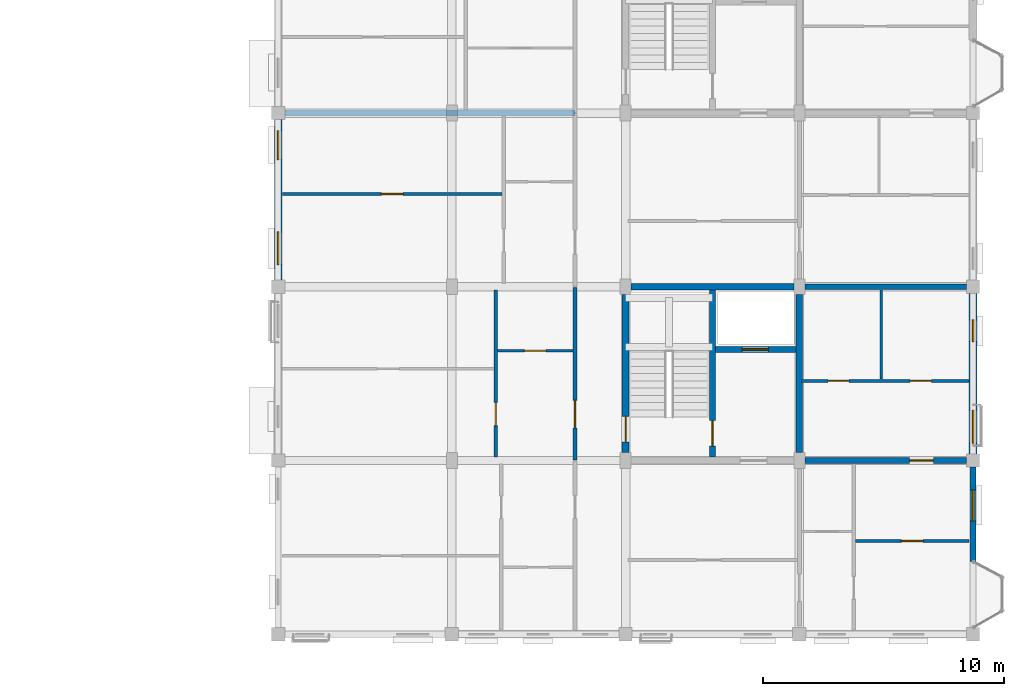
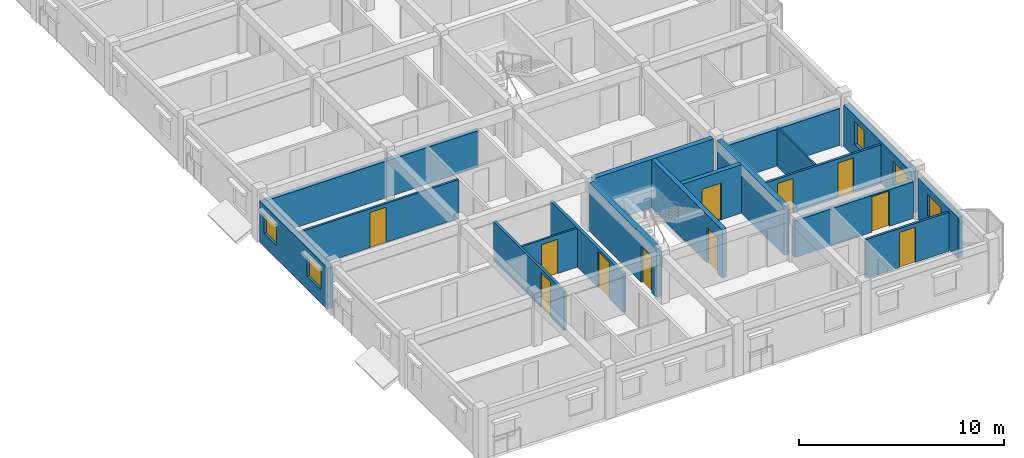
# One storey, part 55 of 75: 18 walls, 11 doors, 5 windows, 16 openings.
"""IFC4 building model written with IfcOpenShell, lengths in metres."""

from ifc_helpers import new_model, si_unit, direction, frame, frame_2d, origin, place, context, subcontext, project, spatial, rectangle, extrude, material, layer, layer_set, type_object, element, fill, save


model = new_model("IFC4")

# Units and contexts
model_context = context("Model", 3, precision=1e-05, world=origin(), true_north=direction((0.0, 1.0)))
body_context = subcontext(model_context, "Body", "Model", "MODEL_VIEW")
ifc_project = project(units=[si_unit("LENGTHUNIT", "METRE"), si_unit("AREAUNIT", "SQUARE_METRE"), si_unit("VOLUMEUNIT", "CUBIC_METRE"), si_unit("PLANEANGLEUNIT", "RADIAN"), si_unit("MASSUNIT", "GRAM", prefix="KILO"), si_unit("THERMODYNAMICTEMPERATUREUNIT", "KELVIN"), si_unit("POWERUNIT", "WATT")], contexts=[model_context])

# Site, building, storey
site_placement = place(None, origin())
site = spatial("IfcSite", under=ifc_project, at=site_placement, CompositionType="ELEMENT")
building_placement = place(site_placement, origin())
building = spatial("IfcBuilding", under=site, at=building_placement, Name="Tavuni Mirador Residences", CompositionType="ELEMENT")
storey_placement = place(building_placement, frame((0.0, 0.0, 20.25)))
storey = spatial("IfcBuildingStorey", under=building, at=storey_placement, Name="L06", CompositionType="ELEMENT", Elevation=20.25)

# Wall, opening, door
ifc_material_1 = material(Name="Precast concrete C40/50", Category="concrete")
ifc_layer_1 = layer(ifc_material_1, 0.25, Name="Precast concrete C40/50", Category="concrete")
ifc_layer_set_1 = layer_set([ifc_layer_1], Name="Precast concrete C40/50")
wall_type_1 = type_object("IfcWallType", Name="WT-COR250", PredefinedType="SHEAR", material=ifc_layer_set_1)
wall_1_placement = place(storey_placement, frame((108.0, 93.739990234375, 0.0), z_axis=(0.0, 0.0, 1.0), x_axis=(0.0, 1.0, 0.0)))
wall_1 = element("IfcWall", 1, at=wall_1_placement, inside=storey, type_object=wall_type_1, Name="CWALL-C7-L06-MID", PredefinedType="SHEAR", context=body_context, shape_type="SweptSolid", body=[
    extrude(rectangle(XDim=6.919921875, YDim=0.25, at=frame_2d((3.4599609375, 0.0))), origin(), (0.0, 0.0, 1.0), 2.889892578125),
])
opening_1_placement = place(wall_1_placement, frame((0.4599609375, 0.0, 0.0)))
opening_1 = element("IfcOpeningElement", 2, at=opening_1_placement, cuts=wall_1, Name="Opening D-01", PredefinedType="OPENING", context=body_context, shape_type="SweptSolid", body=[
    extrude(rectangle(XDim=1.050048828125, YDim=2.14990234375, at=frame_2d((0.52490234375, 1.074951171875))), frame((0.0, 0.135009765625, 0.0), z_axis=(0.0, -1.0, 0.0), x_axis=(1.0, 0.0, 0.0)), (0.0, 0.0, 1.0), 0.27001953125),
])
ifc_material_2 = material(Name="Solid core iroko timber", Category="wood")
door_type_1 = type_object("IfcDoorType", Name="DT-ST1050", OperationType="NOTDEFINED", PredefinedType="DOOR", material=ifc_material_2)
door_1_placement = place(opening_1_placement, origin())
door_1 = element("IfcDoor", 3, at=door_1_placement, inside=storey, type_object=door_type_1, Name="DR-2291", OperationType="SINGLE_SWING_LEFT", OverallHeight=2.14990234375, OverallWidth=1.050048828125, PredefinedType="DOOR", context=body_context, shape_type="SweptSolid", body=[
    extrude(rectangle(XDim=1.050048828125, YDim=2.14990234375, at=frame_2d((0.52490234375, 1.074951171875))), frame((0.0, 0.02490234375, 0.0), z_axis=(0.0, -1.0, 0.0), x_axis=(1.0, 0.0, 0.0)), (0.0, 0.0, 1.0), 0.050048828125),
])
fill(opening_1, door_1)

wall_2_placement = place(storey_placement, frame((108.125, 98.199951171875, 0.0), z_axis=(0.0, 0.0, 1.0), x_axis=(1.0, 0.0, 0.0)))
wall_2 = element("IfcWall", 4, at=wall_2_placement, inside=storey, type_object=wall_type_1, Name="CWALL-C7-L06-SHF", PredefinedType="SHEAR", context=body_context, shape_type="SweptSolid", body=[
    extrude(rectangle(XDim=3.3349609375, YDim=0.25, at=frame_2d((1.66748046875, 0.0))), origin(), (0.0, 0.0, 1.0), 2.889892578125),
])
opening_2_placement = place(wall_2_placement, frame((1.10009765625, 0.0, 0.0)))
opening_2 = element("IfcOpeningElement", 5, at=opening_2_placement, cuts=wall_2, Name="Opening LD-01", PredefinedType="OPENING", context=body_context, shape_type="SweptSolid", body=[
    extrude(rectangle(XDim=1.10009765625, YDim=2.199951171875, at=frame_2d((0.550048828125, 1.10009765625))), frame((0.0, 0.135009765625, 0.0), z_axis=(0.0, -1.0, 0.0), x_axis=(1.0, 0.0, 0.0)), (0.0, 0.0, 1.0), 0.27001953125),
])
ifc_material_3 = material(Name="Structural steel S355", Category="steel")
door_type_2 = type_object("IfcDoorType", Name="DT-LD-FF", OperationType="SLIDING_TO_LEFT", PredefinedType="DOOR", material=ifc_material_3)
door_2_placement = place(opening_2_placement, origin())
door_2 = element("IfcDoor", 6, at=door_2_placement, inside=storey, type_object=door_type_2, Name="Lift landing door FL-D1 L06", OperationType="SLIDING_TO_LEFT", OverallHeight=2.199951171875, OverallWidth=1.10009765625, PredefinedType="DOOR", context=body_context, shape_type="SweptSolid", body=[
    extrude(rectangle(XDim=1.10009765625, YDim=2.199951171875, at=frame_2d((0.550048828125, 1.10009765625))), frame((0.0, 0.02490234375, 0.0), z_axis=(0.0, -1.0, 0.0), x_axis=(1.0, 0.0, 0.0)), (0.0, 0.0, 1.0), 0.050048828125),
])
fill(opening_2, door_2)

ifc_layer_2 = layer(ifc_material_1, 0.280029296875, Name="Precast concrete C40/50", Category="concrete")
ifc_layer_set_2 = layer_set([ifc_layer_2], Name="Precast concrete C40/50")
wall_type_2 = type_object("IfcWallType", Name="WT-COR280", PredefinedType="SHEAR", material=ifc_layer_set_2)
wall_3_placement = place(storey_placement, frame((104.39990234375, 93.925048828125, 0.0), z_axis=(0.0, 0.0, 1.0), x_axis=(0.0, 1.0, 0.0)))
wall_3 = element("IfcWall", 7, at=wall_3_placement, inside=storey, type_object=wall_type_2, Name="CWALL-C7-L06-W", PredefinedType="SHEAR", context=body_context, shape_type="SweptSolid", body=[
    extrude(rectangle(XDim=6.550048828125, YDim=0.280029296875, at=frame_2d((3.27490234375, 0.0))), origin(), (0.0, 0.0, 1.0), 2.889892578125),
])
opening_3_placement = place(wall_3_placement, frame((0.449951171875, 0.0, 0.0)))
opening_3 = element("IfcOpeningElement", 8, at=opening_3_placement, cuts=wall_3, Name="Opening D-01", PredefinedType="OPENING", context=body_context, shape_type="SweptSolid", body=[
    extrude(rectangle(XDim=1.050048828125, YDim=2.14990234375, at=frame_2d((0.52490234375, 1.074951171875))), frame((0.0, 0.14990234375, 0.0), z_axis=(0.0, -1.0, 0.0), x_axis=(1.0, 0.0, 0.0)), (0.0, 0.0, 1.0), 0.300048828125),
])
door_3_placement = place(opening_3_placement, origin())
door_3 = element("IfcDoor", 9, at=door_3_placement, inside=storey, type_object=door_type_1, Name="DR-2289", OperationType="SINGLE_SWING_RIGHT", OverallHeight=2.14990234375, OverallWidth=1.050048828125, PredefinedType="DOOR", context=body_context, shape_type="SweptSolid", body=[
    extrude(rectangle(XDim=1.050048828125, YDim=2.14990234375, at=frame_2d((0.52490234375, 1.074951171875))), frame((0.0, 0.02490234375, 0.0), z_axis=(0.0, -1.0, 0.0), x_axis=(1.0, 0.0, 0.0)), (0.0, 0.0, 1.0), 0.050048828125),
])
fill(opening_3, door_3)

# Walls
wall_4_placement = place(storey_placement, frame((104.625, 100.800048828125, 0.0), z_axis=(0.0, 0.0, 1.0), x_axis=(1.0, 0.0, 0.0)))
element("IfcWall", 10, at=wall_4_placement, inside=storey, type_object=wall_type_2, Name="CWALL-C7-L06-N", PredefinedType="SHEAR", context=body_context, shape_type="SweptSolid", body=[
    extrude(rectangle(XDim=6.75, YDim=0.280029296875, at=frame_2d((3.375, 0.0))), origin(), (0.0, 0.0, 1.0), 2.889892578125),
])
wall_5_placement = place(storey_placement, frame((111.60009765625, 93.925048828125, 0.0), z_axis=(0.0, 0.0, 1.0), x_axis=(0.0, 1.0, 0.0)))
element("IfcWall", 11, at=wall_5_placement, inside=storey, type_object=wall_type_2, Name="CWALL-C7-L06-E", PredefinedType="SHEAR", context=body_context, shape_type="SweptSolid", body=[
    extrude(rectangle(XDim=6.550048828125, YDim=0.280029296875, at=frame_2d((3.27490234375, 0.0))), origin(), (0.0, 0.0, 1.0), 2.889892578125),
])

# Wall, opening, door
ifc_layer_3 = layer(ifc_material_1, 0.1650390625, Name="Precast concrete C40/50", Category="concrete")
ifc_layer_set_3 = layer_set([ifc_layer_3], Name="Precast concrete C40/50")
wall_type_3 = type_object("IfcWallType", Name="WT-CORR165", PredefinedType="PARTITIONING", material=ifc_layer_set_3)
wall_6_placement = place(storey_placement, frame((102.300048828125, 93.6201171875, 0.0), z_axis=(0.0, 0.0, 1.0), x_axis=(0.0, 1.0, 0.0)))
wall_6 = element("IfcWall", 12, at=wall_6_placement, inside=storey, type_object=wall_type_3, Name="CORW-BLK-D-L06-0-01", PredefinedType="PARTITIONING", context=body_context, shape_type="SweptSolid", body=[
    extrude(rectangle(XDim=7.159912109375, YDim=0.1650390625, at=frame_2d((3.580078125, 0.0))), origin(), (0.0, 0.0, 1.0), 2.324951171875),
])
opening_4_placement = place(wall_6_placement, frame((1.330078125, 0.0, 0.0)))
opening_4 = element("IfcOpeningElement", 13, at=opening_4_placement, cuts=wall_6, Name="Opening D-20", PredefinedType="OPENING", context=body_context, shape_type="SweptSolid", body=[
    extrude(rectangle(XDim=1.139892578125, YDim=2.179931640625, at=frame_2d((0.56982421875, 1.08984375))), frame((0.0, 0.092529296875, 0.0), z_axis=(0.0, -1.0, 0.0), x_axis=(1.0, 0.0, 0.0)), (0.0, 0.0, 1.0), 0.18505859375),
])
door_type_3 = type_object("IfcDoorType", Name="DT-FD60-1140", OperationType="NOTDEFINED", PredefinedType="DOOR", material=ifc_material_2)
door_4_placement = place(opening_4_placement, origin())
door_4 = element("IfcDoor", 14, at=door_4_placement, inside=storey, type_object=door_type_3, Name="DR-2882", OperationType="SINGLE_SWING_LEFT", OverallHeight=2.179931640625, OverallWidth=1.139892578125, PredefinedType="DOOR", context=body_context, shape_type="SweptSolid", body=[
    extrude(rectangle(XDim=1.139892578125, YDim=2.179931640625, at=frame_2d((0.56982421875, 1.08984375))), frame((0.0, 0.02490234375, 0.0), z_axis=(0.0, -1.0, 0.0), x_axis=(1.0, 0.0, 0.0)), (0.0, 0.0, 1.0), 0.050048828125),
])
fill(opening_4, door_4)

# Wall, opening, window
ifc_material_4 = material(Name="Sgraffito lime-rendered precast concrete C40/50", Category="concrete")
ifc_layer_4 = layer(ifc_material_4, 0.2451171875, Name="Sgraffito lime-rendered precast concrete C40/50", Category="concrete")
ifc_layer_set_4 = layer_set([ifc_layer_4], Name="Sgraffito lime-rendered precast concrete C40/50")
wall_type_4 = type_object("IfcWallType", Name="WT-EXT-PC245", PredefinedType="SOLIDWALL", material=ifc_layer_set_4)
wall_7_placement = place(storey_placement, frame((118.800048828125, 89.419921875, 0.0), z_axis=(0.0, 0.0, 1.0), x_axis=(0.0, 1.0, 0.0)))
wall_7 = element("IfcWall", 15, at=wall_7_placement, inside=storey, type_object=wall_type_4, Name="EW-BLK-D-L06-E00", PredefinedType="SOLIDWALL", context=body_context, shape_type="SweptSolid", body=[
    extrude(rectangle(XDim=3.905029296875, YDim=0.2451171875, at=frame_2d((1.95263671875, 0.0))), origin(), (0.0, 0.0, 1.0), 2.4599609375),
])
opening_5_placement = place(wall_7_placement, frame((1.677490234375, 0.0, 0.780029296875)))
opening_5 = element("IfcOpeningElement", 16, at=opening_5_placement, cuts=wall_7, Name="Opening WN-14", PredefinedType="OPENING", context=body_context, shape_type="SweptSolid", body=[
    extrude(rectangle(XDim=1.280029296875, YDim=1.260009765625, at=frame_2d((0.64013671875, 0.6298828125))), frame((0.0, 0.132568359375, 0.0), z_axis=(0.0, -1.0, 0.0), x_axis=(1.0, 0.0, 0.0)), (0.0, 0.0, 1.0), 0.26513671875),
])
ifc_material_5 = material(Name="Laminated solar-control glass", Category="glass")
window_type_1 = type_object("IfcWindowType", Name="WNT-14", PartitioningType="SINGLE_PANEL", PredefinedType="WINDOW", material=ifc_material_5)
window_1_placement = place(opening_5_placement, origin())
window_1 = element("IfcWindow", 17, at=window_1_placement, inside=storey, type_object=window_type_1, Name="WIN-1657", OverallHeight=1.260009765625, OverallWidth=1.280029296875, PartitioningType="SINGLE_PANEL", PredefinedType="WINDOW", context=body_context, shape_type="SweptSolid", body=[
    extrude(rectangle(XDim=1.280029296875, YDim=1.260009765625, at=frame_2d((0.64013671875, 0.6298828125))), frame((0.0, 0.030029296875, 0.0), z_axis=(0.0, -1.0, 0.0), x_axis=(1.0, 0.0, 0.0)), (0.0, 0.0, 1.0), 0.06005859375),
])
fill(opening_5, window_1)

# Wall, openings, windows
ifc_layer_5 = layer(ifc_material_4, 0.31494140625, Name="Sgraffito lime-rendered precast concrete C40/50", Category="concrete")
ifc_layer_set_5 = layer_set([ifc_layer_5], Name="Sgraffito lime-rendered precast concrete C40/50")
wall_type_5 = type_object("IfcWallType", Name="WT-EXT-PC315", PredefinedType="SOLIDWALL", material=ifc_layer_set_5)
wall_8_placement = place(storey_placement, frame((90.0, 107.72509765625, 0.0), z_axis=(0.0, 0.0, 1.0), x_axis=(0.0, -1.0, 0.0)))
wall_8 = element("IfcWall", 18, at=wall_8_placement, inside=storey, type_object=wall_type_5, Name="EW-BLK-D-L06-W02", PredefinedType="SOLIDWALL", context=body_context, shape_type="SweptSolid", body=[
    extrude(rectangle(XDim=6.650146484375, YDim=0.31494140625, at=frame_2d((3.3251953125, 0.0))), origin(), (0.0, 0.0, 1.0), 2.4599609375),
])
opening_6_placement = place(wall_8_placement, frame((0.449951171875, 0.0, 0.780029296875)))
opening_6 = element("IfcOpeningElement", 19, at=opening_6_placement, cuts=wall_8, Name="Opening WN-13", PredefinedType="OPENING", context=body_context, shape_type="SweptSolid", body=[
    extrude(rectangle(XDim=1.199951171875, YDim=1.260009765625, at=frame_2d((0.60009765625, 0.6298828125))), frame((0.0, 0.16748046875, 0.0), z_axis=(0.0, -1.0, 0.0), x_axis=(1.0, 0.0, 0.0)), (0.0, 0.0, 1.0), 0.3349609375),
])
opening_7_placement = place(wall_8_placement, frame((4.64990234375, 0.0, 0.780029296875)))
opening_7 = element("IfcOpeningElement", 20, at=opening_7_placement, cuts=wall_8, Name="Opening WN-15", PredefinedType="OPENING", context=body_context, shape_type="SweptSolid", body=[
    extrude(rectangle(XDim=1.360107421875, YDim=1.260009765625, at=frame_2d((0.68017578125, 0.6298828125))), frame((0.0, 0.16748046875, 0.0), z_axis=(0.0, -1.0, 0.0), x_axis=(1.0, 0.0, 0.0)), (0.0, 0.0, 1.0), 0.3349609375),
])
window_type_2 = type_object("IfcWindowType", Name="WNT-13", PartitioningType="SINGLE_PANEL", PredefinedType="WINDOW", material=ifc_material_5)
window_2_placement = place(opening_6_placement, origin())
window_2 = element("IfcWindow", 21, at=window_2_placement, inside=storey, type_object=window_type_2, Name="WIN-1686", OverallHeight=1.260009765625, OverallWidth=1.199951171875, PartitioningType="SINGLE_PANEL", PredefinedType="WINDOW", context=body_context, shape_type="SweptSolid", body=[
    extrude(rectangle(XDim=1.199951171875, YDim=1.260009765625, at=frame_2d((0.60009765625, 0.6298828125))), frame((0.0, 0.030029296875, 0.0), z_axis=(0.0, -1.0, 0.0), x_axis=(1.0, 0.0, 0.0)), (0.0, 0.0, 1.0), 0.06005859375),
])
fill(opening_6, window_2)
window_type_3 = type_object("IfcWindowType", Name="WNT-15", PartitioningType="SINGLE_PANEL", PredefinedType="WINDOW", material=ifc_material_5)
window_3_placement = place(opening_7_placement, origin())
window_3 = element("IfcWindow", 22, at=window_3_placement, inside=storey, type_object=window_type_3, Name="WIN-1687", OverallHeight=1.260009765625, OverallWidth=1.360107421875, PartitioningType="SINGLE_PANEL", PredefinedType="WINDOW", context=body_context, shape_type="SweptSolid", body=[
    extrude(rectangle(XDim=1.360107421875, YDim=1.260009765625, at=frame_2d((0.68017578125, 0.6298828125))), frame((0.0, 0.030029296875, 0.0), z_axis=(0.0, -1.0, 0.0), x_axis=(1.0, 0.0, 0.0)), (0.0, 0.0, 1.0), 0.06005859375),
])
fill(opening_7, window_3)

ifc_layer_6 = layer(ifc_material_4, 0.344970703125, Name="Sgraffito lime-rendered precast concrete C40/50", Category="concrete")
ifc_layer_set_6 = layer_set([ifc_layer_6], Name="Sgraffito lime-rendered precast concrete C40/50")
wall_type_6 = type_object("IfcWallType", Name="WT-EXT-PTY345", PredefinedType="SOLIDWALL", material=ifc_layer_set_6)
wall_9_placement = place(storey_placement, frame((118.800048828125, 93.875, 0.0), z_axis=(0.0, 0.0, 1.0), x_axis=(0.0, 1.0, 0.0)))
wall_9 = element("IfcWall", 23, at=wall_9_placement, inside=storey, type_object=wall_type_6, Name="EW-BLK-D-L06-E01", PredefinedType="SOLIDWALL", context=body_context, shape_type="SweptSolid", body=[
    extrude(rectangle(XDim=6.64990234375, YDim=0.344970703125, at=frame_2d((3.324951171875, 0.0))), origin(), (0.0, 0.0, 1.0), 2.4599609375),
])
opening_8_placement = place(wall_9_placement, frame((0.449951171875, 0.0, 0.780029296875)))
opening_8 = element("IfcOpeningElement", 24, at=opening_8_placement, cuts=wall_9, Name="Opening WN-15", PredefinedType="OPENING", context=body_context, shape_type="SweptSolid", body=[
    extrude(rectangle(XDim=1.360107421875, YDim=1.260009765625, at=frame_2d((0.68017578125, 0.6298828125))), frame((0.0, 0.1826171875, 0.0), z_axis=(0.0, -1.0, 0.0), x_axis=(1.0, 0.0, 0.0)), (0.0, 0.0, 1.0), 0.364990234375),
])
opening_9_placement = place(wall_9_placement, frame((4.64990234375, 0.0, 0.780029296875)))
opening_9 = element("IfcOpeningElement", 25, at=opening_9_placement, cuts=wall_9, Name="Opening WN-17", PredefinedType="OPENING", context=body_context, shape_type="SweptSolid", body=[
    extrude(rectangle(XDim=0.89990234375, YDim=1.360107421875, at=frame_2d((0.449951171875, 0.68017578125))), frame((0.0, 0.1826171875, 0.0), z_axis=(0.0, -1.0, 0.0), x_axis=(1.0, 0.0, 0.0)), (0.0, 0.0, 1.0), 0.364990234375),
])
window_4_placement = place(opening_8_placement, origin())
window_4 = element("IfcWindow", 26, at=window_4_placement, inside=storey, type_object=window_type_3, Name="WIN-1658", OverallHeight=1.260009765625, OverallWidth=1.360107421875, PartitioningType="SINGLE_PANEL", PredefinedType="WINDOW", context=body_context, shape_type="SweptSolid", body=[
    extrude(rectangle(XDim=1.360107421875, YDim=1.260009765625, at=frame_2d((0.68017578125, 0.6298828125))), frame((0.0, 0.030029296875, 0.0), z_axis=(0.0, -1.0, 0.0), x_axis=(1.0, 0.0, 0.0)), (0.0, 0.0, 1.0), 0.06005859375),
])
fill(opening_8, window_4)
window_type_4 = type_object("IfcWindowType", Name="WNT-17", PartitioningType="SINGLE_PANEL", PredefinedType="WINDOW", material=ifc_material_5)
window_5_placement = place(opening_9_placement, origin())
window_5 = element("IfcWindow", 27, at=window_5_placement, inside=storey, type_object=window_type_4, Name="WIN-1659", OverallHeight=1.360107421875, OverallWidth=0.89990234375, PartitioningType="SINGLE_PANEL", PredefinedType="WINDOW", context=body_context, shape_type="SweptSolid", body=[
    extrude(rectangle(XDim=0.89990234375, YDim=1.360107421875, at=frame_2d((0.449951171875, 0.68017578125))), frame((0.0, 0.030029296875, 0.0), z_axis=(0.0, -1.0, 0.0), x_axis=(1.0, 0.0, 0.0)), (0.0, 0.0, 1.0), 0.06005859375),
])
fill(opening_9, window_5)

# Wall
ifc_material_6 = material(Name="Acoustic gypsum and concrete block partition", Category="concrete")
ifc_layer_7 = layer(ifc_material_6, 0.094970703125, Name="Acoustic gypsum and concrete block partition", Category="concrete")
ifc_layer_set_7 = layer_set([ifc_layer_7], Name="Acoustic gypsum and concrete block partition")
wall_type_7 = type_object("IfcWallType", Name="WT-PART095", PredefinedType="PARTITIONING", material=ifc_layer_set_7)
wall_10_placement = place(storey_placement, frame((115.0, 96.969970703125, 0.0), z_axis=(0.0, 0.0, 1.0), x_axis=(0.0, 1.0, 0.0)))
element("IfcWall", 28, at=wall_10_placement, inside=storey, type_object=wall_type_7, Name="PW-BLK-D-L06-PF01-V", PredefinedType="PARTITIONING", context=body_context, shape_type="SweptSolid", body=[
    extrude(rectangle(XDim=3.68994140625, YDim=0.094970703125, at=frame_2d((1.844970703125, 0.0))), origin(), (0.0, 0.0, 1.0), 2.324951171875),
])

# Wall, opening, door
ifc_layer_8 = layer(ifc_material_6, 0.10498046875, Name="Acoustic gypsum and concrete block partition", Category="concrete")
ifc_layer_set_8 = layer_set([ifc_layer_8], Name="Acoustic gypsum and concrete block partition")
wall_type_8 = type_object("IfcWallType", Name="WT-PART105", PredefinedType="PARTITIONING", material=ifc_layer_set_8)
wall_11_placement = place(storey_placement, frame((99.090087890625, 98.14990234375, 0.0), z_axis=(0.0, 0.0, 1.0), x_axis=(1.0, 0.0, 0.0)))
wall_11 = element("IfcWall", 29, at=wall_11_placement, inside=storey, type_object=wall_type_8, Name="PW-BLK-D-L06-W01-IN1", PredefinedType="PARTITIONING", context=body_context, shape_type="SweptSolid", body=[
    extrude(rectangle(XDim=3.119873046875, YDim=0.10498046875, at=frame_2d((1.56005859375, 0.0))), origin(), (0.0, 0.0, 1.0), 2.324951171875),
])
opening_10_placement = place(wall_11_placement, frame((1.110107421875, 0.0, 0.0)))
opening_10 = element("IfcOpeningElement", 30, at=opening_10_placement, cuts=wall_11, Name="Opening D-09", PredefinedType="OPENING", context=body_context, shape_type="SweptSolid", body=[
    extrude(rectangle(XDim=0.89990234375, YDim=2.050048828125, at=frame_2d((0.449951171875, 1.02490234375))), frame((0.0, 0.0625, 0.0), z_axis=(0.0, -1.0, 0.0), x_axis=(1.0, 0.0, 0.0)), (0.0, 0.0, 1.0), 0.125),
])
door_type_4 = type_object("IfcDoorType", Name="DT-WC900", OperationType="NOTDEFINED", PredefinedType="DOOR", material=ifc_material_2)
door_5_placement = place(opening_10_placement, origin())
door_5 = element("IfcDoor", 31, at=door_5_placement, inside=storey, type_object=door_type_4, Name="DR-4517", OperationType="SINGLE_SWING_RIGHT", OverallHeight=2.050048828125, OverallWidth=0.89990234375, PredefinedType="DOOR", context=body_context, shape_type="SweptSolid", body=[
    extrude(rectangle(XDim=0.89990234375, YDim=2.050048828125, at=frame_2d((0.449951171875, 1.02490234375))), frame((0.0, 0.02490234375, 0.0), z_axis=(0.0, -1.0, 0.0), x_axis=(1.0, 0.0, 0.0)), (0.0, 0.0, 1.0), 0.050048828125),
])
fill(opening_10, door_5)

ifc_layer_9 = layer(ifc_material_6, 0.114990234375, Name="Acoustic gypsum and concrete block partition", Category="concrete")
ifc_layer_set_9 = layer_set([ifc_layer_9], Name="Acoustic gypsum and concrete block partition")
wall_type_9 = type_object("IfcWallType", Name="WT-PART115", PredefinedType="PARTITIONING", material=ifc_layer_set_9)
wall_12_placement = place(storey_placement, frame((90.175048828125, 104.64990234375, 0.0), z_axis=(0.0, 0.0, 1.0), x_axis=(1.0, 0.0, 0.0)))
wall_12 = element("IfcWall", 32, at=wall_12_placement, inside=storey, type_object=wall_type_9, Name="PW-BLK-D-L06-W02-OUT", PredefinedType="PARTITIONING", context=body_context, shape_type="SweptSolid", body=[
    extrude(rectangle(XDim=9.10498046875, YDim=0.114990234375, at=frame_2d((4.552490234375, 0.0))), origin(), (0.0, 0.0, 1.0), 2.324951171875),
])
opening_11_placement = place(wall_12_placement, frame((4.1025390625, 0.0, 0.0)))
opening_11 = element("IfcOpeningElement", 33, at=opening_11_placement, cuts=wall_12, Name="Opening D-07", PredefinedType="OPENING", context=body_context, shape_type="SweptSolid", body=[
    extrude(rectangle(XDim=0.89990234375, YDim=2.10009765625, at=frame_2d((0.449951171875, 1.050048828125))), frame((0.0, 0.0673828125, 0.0), z_axis=(0.0, -1.0, 0.0), x_axis=(1.0, 0.0, 0.0)), (0.0, 0.0, 1.0), 0.135009765625),
])
door_type_5 = type_object("IfcDoorType", Name="DT-BED900", OperationType="NOTDEFINED", PredefinedType="DOOR", material=ifc_material_2)
door_6_placement = place(opening_11_placement, origin())
door_6 = element("IfcDoor", 34, at=door_6_placement, inside=storey, type_object=door_type_5, Name="DR-4522", OperationType="SINGLE_SWING_LEFT", OverallHeight=2.10009765625, OverallWidth=0.89990234375, PredefinedType="DOOR", context=body_context, shape_type="SweptSolid", body=[
    extrude(rectangle(XDim=0.89990234375, YDim=2.10009765625, at=frame_2d((0.449951171875, 1.050048828125))), frame((0.0, 0.02490234375, 0.0), z_axis=(0.0, -1.0, 0.0), x_axis=(1.0, 0.0, 0.0)), (0.0, 0.0, 1.0), 0.050048828125),
])
fill(opening_11, door_6)

ifc_layer_10 = layer(ifc_material_6, 0.125, Name="Acoustic gypsum and concrete block partition", Category="concrete")
ifc_layer_set_10 = layer_set([ifc_layer_10], Name="Acoustic gypsum and concrete block partition")
wall_type_10 = type_object("IfcWallType", Name="WT-PART125", PredefinedType="PARTITIONING", material=ifc_layer_set_10)
wall_13_placement = place(storey_placement, frame((113.929931640625, 90.260009765625, 0.0), z_axis=(0.0, 0.0, 1.0), x_axis=(1.0, 0.0, 0.0)))
wall_13 = element("IfcWall", 35, at=wall_13_placement, inside=storey, type_object=wall_type_10, Name="PW-BLK-D-L06-E00-OUT", PredefinedType="PARTITIONING", context=body_context, shape_type="SweptSolid", body=[
    extrude(rectangle(XDim=4.695068359375, YDim=0.125, at=frame_2d((2.34765625, 0.0))), origin(), (0.0, 0.0, 1.0), 2.324951171875),
])
opening_12_placement = place(wall_13_placement, frame((1.8974609375, 0.0, 0.0)))
opening_12 = element("IfcOpeningElement", 36, at=opening_12_placement, cuts=wall_13, Name="Opening D-07", PredefinedType="OPENING", context=body_context, shape_type="SweptSolid", body=[
    extrude(rectangle(XDim=0.89990234375, YDim=2.10009765625, at=frame_2d((0.449951171875, 1.050048828125))), frame((0.0, 0.072509765625, 0.0), z_axis=(0.0, -1.0, 0.0), x_axis=(1.0, 0.0, 0.0)), (0.0, 0.0, 1.0), 0.14501953125),
])
door_7_placement = place(opening_12_placement, origin())
door_7 = element("IfcDoor", 37, at=door_7_placement, inside=storey, type_object=door_type_5, Name="DR-4513", OperationType="SINGLE_SWING_LEFT", OverallHeight=2.10009765625, OverallWidth=0.89990234375, PredefinedType="DOOR", context=body_context, shape_type="SweptSolid", body=[
    extrude(rectangle(XDim=0.89990234375, YDim=2.10009765625, at=frame_2d((0.449951171875, 1.050048828125))), frame((0.0, 0.02490234375, 0.0), z_axis=(0.0, -1.0, 0.0), x_axis=(1.0, 0.0, 0.0)), (0.0, 0.0, 1.0), 0.050048828125),
])
fill(opening_12, door_7)

# Wall, openings, doors
wall_14_placement = place(storey_placement, frame((111.68994140625, 96.89990234375, 0.0), z_axis=(0.0, 0.0, 1.0), x_axis=(1.0, 0.0, 0.0)))
wall_14 = element("IfcWall", 38, at=wall_14_placement, inside=storey, type_object=wall_type_10, Name="PW-BLK-D-L06-PF01-H", PredefinedType="PARTITIONING", context=body_context, shape_type="SweptSolid", body=[
    extrude(rectangle(XDim=6.93505859375, YDim=0.125, at=frame_2d((3.467529296875, 0.0))), origin(), (0.0, 0.0, 1.0), 2.324951171875),
])
opening_13_placement = place(wall_14_placement, frame((1.10009765625, 0.0, 0.0)))
opening_13 = element("IfcOpeningElement", 39, at=opening_13_placement, cuts=wall_14, Name="Opening D-10", PredefinedType="OPENING", context=body_context, shape_type="SweptSolid", body=[
    extrude(rectangle(XDim=0.8701171875, YDim=2.050048828125, at=frame_2d((0.43505859375, 1.02490234375))), frame((0.0, 0.072509765625, 0.0), z_axis=(0.0, -1.0, 0.0), x_axis=(1.0, 0.0, 0.0)), (0.0, 0.0, 1.0), 0.14501953125),
])
opening_14_placement = place(wall_14_placement, frame((4.5, 0.0, 0.0)))
opening_14 = element("IfcOpeningElement", 40, at=opening_14_placement, cuts=wall_14, Name="Opening D-08", PredefinedType="OPENING", context=body_context, shape_type="SweptSolid", body=[
    extrude(rectangle(XDim=0.8798828125, YDim=2.080078125, at=frame_2d((0.43994140625, 1.0400390625))), frame((0.0, 0.072509765625, 0.0), z_axis=(0.0, -1.0, 0.0), x_axis=(1.0, 0.0, 0.0)), (0.0, 0.0, 1.0), 0.14501953125),
])
door_type_6 = type_object("IfcDoorType", Name="DT-BED880", OperationType="NOTDEFINED", PredefinedType="DOOR", material=ifc_material_2)
door_8_placement = place(opening_14_placement, origin())
door_8 = element("IfcDoor", 41, at=door_8_placement, inside=storey, type_object=door_type_6, Name="DR-4520", OperationType="SINGLE_SWING_RIGHT", OverallHeight=2.080078125, OverallWidth=0.8798828125, PredefinedType="DOOR", context=body_context, shape_type="SweptSolid", body=[
    extrude(rectangle(XDim=0.8798828125, YDim=2.080078125, at=frame_2d((0.43994140625, 1.0400390625))), frame((0.0, 0.02490234375, 0.0), z_axis=(0.0, -1.0, 0.0), x_axis=(1.0, 0.0, 0.0)), (0.0, 0.0, 1.0), 0.050048828125),
])
fill(opening_14, door_8)
door_type_7 = type_object("IfcDoorType", Name="DT-WC870", OperationType="NOTDEFINED", PredefinedType="DOOR", material=ifc_material_2)
door_9_placement = place(opening_13_placement, origin())
door_9 = element("IfcDoor", 42, at=door_9_placement, inside=storey, type_object=door_type_7, Name="DR-4519", OperationType="SINGLE_SWING_LEFT", OverallHeight=2.050048828125, OverallWidth=0.8701171875, PredefinedType="DOOR", context=body_context, shape_type="SweptSolid", body=[
    extrude(rectangle(XDim=0.8701171875, YDim=2.050048828125, at=frame_2d((0.43505859375, 1.02490234375))), frame((0.0, 0.02490234375, 0.0), z_axis=(0.0, -1.0, 0.0), x_axis=(1.0, 0.0, 0.0)), (0.0, 0.0, 1.0), 0.050048828125),
])
fill(opening_13, door_9)

# Wall, opening, door
ifc_layer_11 = layer(ifc_material_6, 0.139892578125, Name="Acoustic gypsum and concrete block partition", Category="concrete")
ifc_layer_set_11 = layer_set([ifc_layer_11], Name="Acoustic gypsum and concrete block partition")
wall_type_11 = type_object("IfcWallType", Name="WT-PART140", PredefinedType="PARTITIONING", material=ifc_layer_set_11)
wall_15_placement = place(storey_placement, frame((99.02001953125, 93.739990234375, 0.0), z_axis=(0.0, 0.0, 1.0), x_axis=(0.0, 1.0, 0.0)))
wall_15 = element("IfcWall", 43, at=wall_15_placement, inside=storey, type_object=wall_type_11, Name="PW-BLK-D-L06-W01-MID", PredefinedType="PARTITIONING", context=body_context, shape_type="SweptSolid", body=[
    extrude(rectangle(XDim=6.919921875, YDim=0.139892578125, at=frame_2d((3.4599609375, 0.0))), origin(), (0.0, 0.0, 1.0), 2.324951171875),
])
opening_15_placement = place(wall_15_placement, frame((1.31005859375, 0.0, 0.0)))
opening_15 = element("IfcOpeningElement", 44, at=opening_15_placement, cuts=wall_15, Name="Opening D-05", PredefinedType="OPENING", context=body_context, shape_type="SweptSolid", body=[
    extrude(rectangle(XDim=0.949951171875, YDim=2.10009765625, at=frame_2d((0.47509765625, 1.050048828125))), frame((0.0, 0.080078125, 0.0), z_axis=(0.0, -1.0, 0.0), x_axis=(1.0, 0.0, 0.0)), (0.0, 0.0, 1.0), 0.159912109375),
])
door_type_8 = type_object("IfcDoorType", Name="DT-INT950", OperationType="NOTDEFINED", PredefinedType="DOOR", material=ifc_material_2)
door_10_placement = place(opening_15_placement, origin())
door_10 = element("IfcDoor", 45, at=door_10_placement, inside=storey, type_object=door_type_8, Name="DR-4518", OperationType="SINGLE_SWING_LEFT", OverallHeight=2.10009765625, OverallWidth=0.949951171875, PredefinedType="DOOR", context=body_context, shape_type="SweptSolid", body=[
    extrude(rectangle(XDim=0.949951171875, YDim=2.10009765625, at=frame_2d((0.47509765625, 1.050048828125))), frame((0.0, 0.02490234375, 0.0), z_axis=(0.0, -1.0, 0.0), x_axis=(1.0, 0.0, 0.0)), (0.0, 0.0, 1.0), 0.050048828125),
])
fill(opening_15, door_10)

ifc_layer_12 = layer(ifc_material_1, 0.235107421875, Name="Precast concrete C40/50", Category="concrete")
ifc_layer_set_12 = layer_set([ifc_layer_12], Name="Precast concrete C40/50")
wall_type_12 = type_object("IfcWallType", Name="WT-XW235", PredefinedType="SOLIDWALL", material=ifc_layer_set_12)
wall_16_placement = place(storey_placement, frame((111.824951171875, 93.60009765625, 0.0), z_axis=(0.0, 0.0, 1.0), x_axis=(1.0, 0.0, 0.0)))
wall_16 = element("IfcWall", 46, at=wall_16_placement, inside=storey, type_object=wall_type_12, Name="XW-BLK-D-L06-E-01", PredefinedType="SOLIDWALL", context=body_context, shape_type="SweptSolid", body=[
    extrude(rectangle(XDim=6.699951171875, YDim=0.235107421875, at=frame_2d((3.35009765625, 0.0))), origin(), (0.0, 0.0, 1.0), 2.18994140625),
])
opening_16_placement = place(wall_16_placement, frame((4.35009765625, 0.0, 0.0)))
opening_16 = element("IfcOpeningElement", 47, at=opening_16_placement, cuts=wall_16, Name="Opening D-04", PredefinedType="OPENING", context=body_context, shape_type="SweptSolid", body=[
    extrude(rectangle(XDim=0.97998046875, YDim=2.1201171875, at=frame_2d((0.489990234375, 1.06005859375))), frame((0.0, 0.12744140625, 0.0), z_axis=(0.0, -1.0, 0.0), x_axis=(1.0, 0.0, 0.0)), (0.0, 0.0, 1.0), 0.255126953125),
])
door_type_9 = type_object("IfcDoorType", Name="DT-FD60-980", OperationType="NOTDEFINED", PredefinedType="DOOR", material=ifc_material_2)
door_11_placement = place(opening_16_placement, origin())
door_11 = element("IfcDoor", 48, at=door_11_placement, inside=storey, type_object=door_type_9, Name="DR-4770", OperationType="SINGLE_SWING_LEFT", OverallHeight=2.1201171875, OverallWidth=0.97998046875, PredefinedType="DOOR", context=body_context, shape_type="SweptSolid", body=[
    extrude(rectangle(XDim=0.97998046875, YDim=2.1201171875, at=frame_2d((0.489990234375, 1.06005859375))), frame((0.0, 0.02490234375, 0.0), z_axis=(0.0, -1.0, 0.0), x_axis=(1.0, 0.0, 0.0)), (0.0, 0.0, 1.0), 0.050048828125),
])
fill(opening_16, door_11)

# Walls
wall_17_placement = place(storey_placement, frame((111.824951171875, 100.800048828125, 0.0), z_axis=(0.0, 0.0, 1.0), x_axis=(1.0, 0.0, 0.0)))
element("IfcWall", 49, at=wall_17_placement, inside=storey, type_object=wall_type_12, Name="XW-BLK-D-L06-E-02", PredefinedType="SOLIDWALL", context=body_context, shape_type="SweptSolid", body=[
    extrude(rectangle(XDim=6.699951171875, YDim=0.235107421875, at=frame_2d((3.35009765625, 0.0))), origin(), (0.0, 0.0, 1.0), 2.18994140625),
])
wall_18_placement = place(storey_placement, frame((90.27490234375, 108.0, 0.0), z_axis=(0.0, 0.0, 1.0), x_axis=(1.0, 0.0, 0.0)))
element("IfcWall", 50, at=wall_18_placement, inside=storey, type_object=wall_type_12, Name="XW-BLK-D-L06-W-03", PredefinedType="SOLIDWALL", context=body_context, shape_type="SweptSolid", body=[
    extrude(rectangle(XDim=12.025146484375, YDim=0.235107421875, at=frame_2d((6.0126953125, 0.0))), origin(), (0.0, 0.0, 1.0), 2.18994140625),
])

save(model, "model.ifc")
